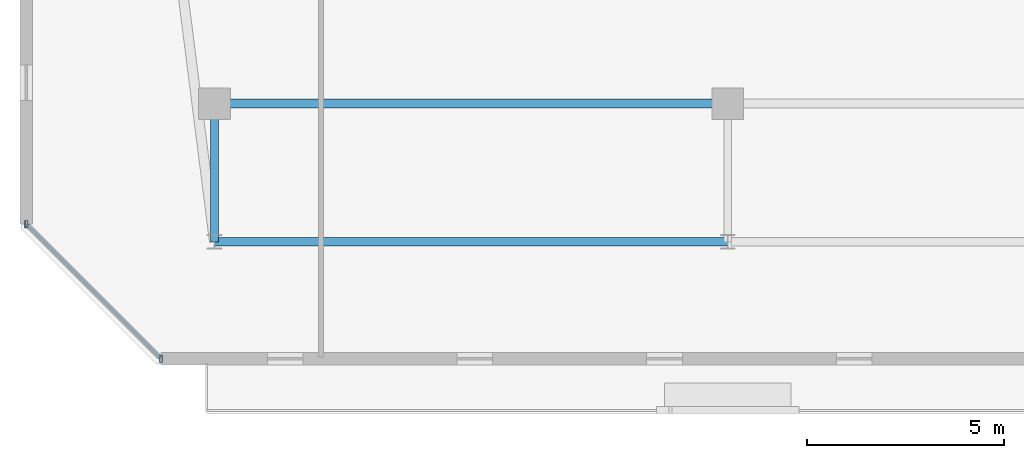
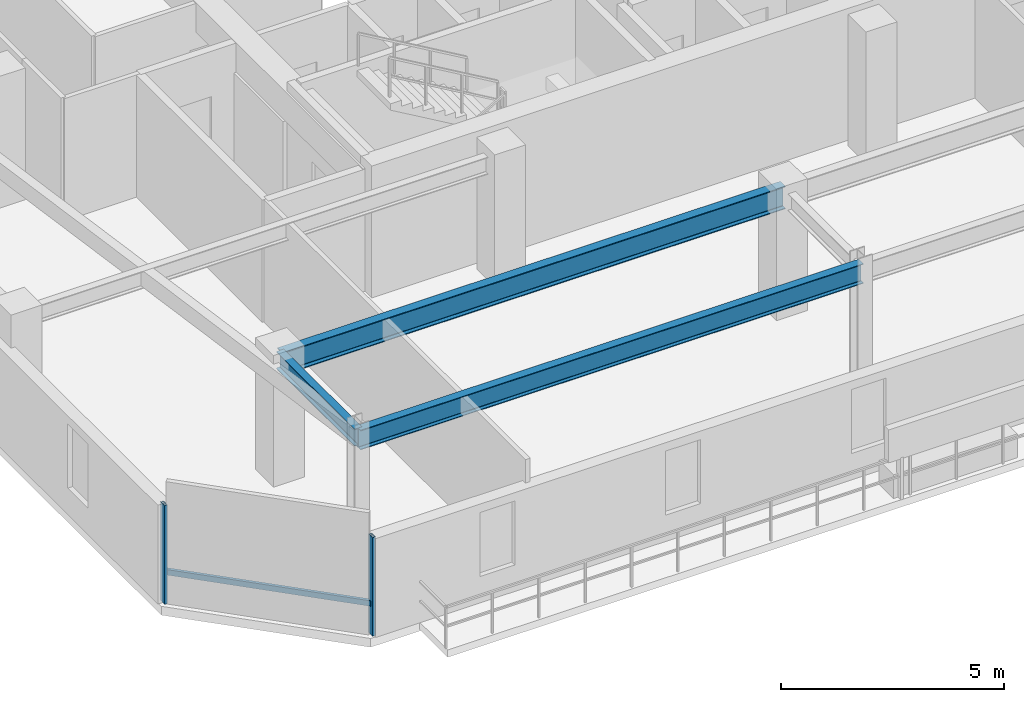
# One storey, part 5 of 35: 3 beams, 3 members, 1 element without a shape of its own.
"""IFC4 building model written with IfcOpenShell, lengths in metres."""

import ifcopenshell
import ifcopenshell.guid

model = None  # the IFC model being written
_history = None  # IfcOwnerHistory: only IFC2X3 demands one
_inside = {}  # id of a spatial element -> (the spatial element, [elements in it])
_under = {}  # id of a project, library or spatial element -> (it, [spatial elements below it])
_declared = {}  # id of a project -> (the project, [libraries it declares])
_typed = {}  # id of a type object -> (the type object, [elements of that type])
_made_of = {}  # id of a material, layer set ... -> (it, [elements and type objects made of it])


def new_model(schema):
    """Start an empty IFC model of exactly this schema.

    Asked for "IFC4X3", IfcOpenShell would pick the latest addendum, in which some entities
    have other attributes; the version numbers below select the first issue.
    IFC2X3 requires an IfcOwnerHistory on every rooted entity: one is made here for all.
    """
    global model, _history
    if schema == "IFC4X3":
        model = ifcopenshell.file(schema_version=(4, 3, 0, 0))
    else:
        model = ifcopenshell.file(schema=schema)
    _inside.clear()
    _under.clear()
    _declared.clear()
    _typed.clear()
    _made_of.clear()
    _history = None
    if model.schema == "IFC2X3":
        org = make("IfcOrganization", Name="unknown")
        user = make(
            "IfcPersonAndOrganization",
            ThePerson=make("IfcPerson", FamilyName="unknown"),
            TheOrganization=org,
        )
        app = make(
            "IfcApplication",
            ApplicationDeveloper=org,
            Version="unknown",
            ApplicationFullName="unknown",
            ApplicationIdentifier="unknown",
        )
        _history = make(
            "IfcOwnerHistory",
            OwningUser=user,
            OwningApplication=app,
            ChangeAction="ADDED",
            CreationDate=0,
        )
    return model


def make(cls, **values):
    """One entity of the class cls with the attributes given. An attribute that is None is left unset."""
    return model.create_entity(
        cls, **{name: value for name, value in values.items() if value is not None}
    )


def rooted(cls, **values):
    """An entity with a GlobalId (a new one), such as an element, a storey or a relation."""
    return make(cls, GlobalId=ifcopenshell.guid.new(), OwnerHistory=_history, **values)


def si_unit(unit_type, name, prefix=None):
    """IfcSIUnit, for example si_unit("LENGTHUNIT", "METRE", prefix="MILLI")."""
    return make("IfcSIUnit", UnitType=unit_type, Prefix=prefix, Name=name)


def assignment(units):
    """IfcUnitAssignment: the units of a project."""
    return None if units is None else make("IfcUnitAssignment", Units=units)


def point(xyz):
    """IfcCartesianPoint."""
    return None if xyz is None else make("IfcCartesianPoint", Coordinates=xyz)


def direction(xyz):
    """IfcDirection."""
    return None if xyz is None else make("IfcDirection", DirectionRatios=xyz)


def frame(location, z_axis=None, x_axis=None):
    """IfcAxis2Placement3D, a coordinate frame: its origin and axes. An axis left out is left unset."""
    return make(
        "IfcAxis2Placement3D",
        Location=point(location),
        Axis=direction(z_axis),
        RefDirection=direction(x_axis),
    )


def frame_2d(location, x_axis=None):
    """IfcAxis2Placement2D, a coordinate frame in the plane: its origin and x axis."""
    return make(
        "IfcAxis2Placement2D", Location=point(location), RefDirection=direction(x_axis)
    )


def origin():
    """The frame at (0, 0, 0) with its axes left unset."""
    return frame((0.0, 0.0, 0.0))


def origin_2d():
    """The frame at (0, 0) in the plane with its x axis left unset."""
    return frame_2d((0.0, 0.0))


def place(relative_to, where):
    """IfcLocalPlacement: puts the frame where relative to a parent placement (None: the world)."""
    return make(
        "IfcLocalPlacement", PlacementRelTo=relative_to, RelativePlacement=where
    )


def context(
    kind, dimensions, precision=None, world=None, true_north=None, identifier=None
):
    """IfcGeometricRepresentationContext, for example the 3D "Model" context."""
    return make(
        "IfcGeometricRepresentationContext",
        ContextIdentifier=identifier,
        ContextType=kind,
        CoordinateSpaceDimension=dimensions,
        Precision=precision,
        WorldCoordinateSystem=world,
        TrueNorth=true_north,
    )


def subcontext(parent, identifier, kind, view, scale=None):
    """IfcGeometricRepresentationSubContext, for example "Body" below "Model"."""
    return make(
        "IfcGeometricRepresentationSubContext",
        ContextIdentifier=identifier,
        ContextType=kind,
        ParentContext=parent,
        TargetScale=scale,
        TargetView=view,
    )


def project(units=None, contexts=None):
    """IfcProject with its units and contexts."""
    return rooted(
        "IfcProject",
        Name="project",
        RepresentationContexts=contexts,
        UnitsInContext=assignment(units),
    )


def spatial(cls, under=None, at=None, **own):
    """A site, building, storey or space (cls), placed at a placement, below another one or the project."""
    s = rooted(cls, ObjectPlacement=at, **own)
    if under is not None:
        _under.setdefault(under.id(), (under, []))[1].append(s)
    return s


def profile(cls, at=None, kind="AREA", **sizes):
    """A parametric profile (cls). Its sizes go by their IFC names, for example OverallWidth=200.0."""
    return make(cls, ProfileType=kind, Position=at, **sizes)


def hollow_rectangle(**sizes):
    """IfcRectangleHollowProfileDef."""
    return profile("IfcRectangleHollowProfileDef", **sizes)


def i_section(**sizes):
    """IfcIShapeProfileDef."""
    return profile("IfcIShapeProfileDef", **sizes)


def extrude(swept, where, along, depth):
    """IfcExtrudedAreaSolid: the profile swept, set in the frame where, extruded along a direction by depth."""
    return make(
        "IfcExtrudedAreaSolid",
        SweptArea=swept,
        Position=where,
        ExtrudedDirection=direction(along),
        Depth=depth,
    )


def shape(context_of_items, identifier, shape_type, items):
    """IfcShapeRepresentation: the items that make up one representation, for example the "Body"."""
    return make(
        "IfcShapeRepresentation",
        ContextOfItems=context_of_items,
        RepresentationIdentifier=identifier,
        RepresentationType=shape_type,
        Items=items,
    )


def material(Name=None, Category=None):
    """IfcMaterial."""
    return make("IfcMaterial", Name=Name, Category=Category)


def material_profile(
    of_material, cross_section, Name=None, Category=None, Priority=None
):
    """IfcMaterialProfile: a cross section and its material."""
    return make(
        "IfcMaterialProfile",
        Name=Name,
        Material=of_material,
        Profile=cross_section,
        Priority=Priority,
        Category=Category,
    )


def profile_set(profiles, Name=None, composite=None):
    """IfcMaterialProfileSet."""
    return make(
        "IfcMaterialProfileSet",
        Name=Name,
        MaterialProfiles=profiles,
        CompositeProfile=composite,
    )


def made_of(thing, what):
    """Note that an element or type object is made of a material, layer set ...; save() writes the relation."""
    if what is not None:
        _made_of.setdefault(what.id(), (what, []))[1].append(thing)
    return thing


def type_object(cls, material=None, **own):
    """A type object (cls), such as IfcWallType, which elements share."""
    return made_of(rooted(cls, **own), material)


def element(
    cls,
    number,
    at=None,
    inside=None,
    cuts=None,
    type_object=None,
    material=None,
    context=None,
    identifier="Body",
    shape_type=None,
    held_by="IfcProductDefinitionShape",
    body=None,
    shapes=None,
    **own,
):
    """One element of the class cls, such as IfcWall. Its Tag is "e" and its number.

    at: its placement. inside: the storey or other place that contains it. cuts: it is an
    opening in that element (IfcRelVoidsElement). A single representation is given by context,
    identifier, shape_type and body (its items); several are given by shapes. held_by: the class
    of the entity that holds the representations. save() writes the other relations.
    """
    e = rooted(cls, Tag="e%d" % number, ObjectPlacement=at, **own)
    if body is not None:
        shapes = [shape(context, identifier, shape_type, body)]
    if shapes is not None:
        e.Representation = make(held_by, Representations=shapes)
    if inside is not None:
        _inside.setdefault(inside.id(), (inside, []))[1].append(e)
    if cuts is not None:
        rooted(
            "IfcRelVoidsElement", RelatingBuildingElement=cuts, RelatedOpeningElement=e
        )
    if type_object is not None:
        _typed.setdefault(type_object.id(), (type_object, []))[1].append(e)
    return made_of(e, material)


def aggregate(whole, parts):
    """IfcRelAggregates: a whole, such as a stair, and the parts it consists of."""
    return rooted("IfcRelAggregates", RelatingObject=whole, RelatedObjects=parts)


def save(model, path):
    """Write the relations noted so far, then the file.

    IfcRelAggregates (storeys below a building ...), IfcRelContainedInSpatialStructure (elements
    in a storey), IfcRelDefinesByType, IfcRelAssociatesMaterial and IfcRelDeclares: one each for
    every whole, place, type object, material and project.
    """
    for whole, parts in _under.values():
        aggregate(whole, parts)
    for where, things in _inside.values():
        rooted(
            "IfcRelContainedInSpatialStructure",
            RelatedElements=things,
            RelatingStructure=where,
        )
    for kind, things in _typed.values():
        rooted("IfcRelDefinesByType", RelatedObjects=things, RelatingType=kind)
    for what, things in _made_of.values():
        rooted("IfcRelAssociatesMaterial", RelatedObjects=things, RelatingMaterial=what)
    for by, libraries in _declared.values():
        rooted("IfcRelDeclares", RelatingContext=by, RelatedDefinitions=libraries)
    model.write(path)


model = new_model("IFC4")

# Units and contexts
model_context = context("Model", 3, precision=1e-05, world=origin(), true_north=direction((0.0, 1.0)))
body_context = subcontext(model_context, "Body", "Model", "MODEL_VIEW")
ifc_project = project(units=[si_unit("LENGTHUNIT", "METRE"), si_unit("AREAUNIT", "SQUARE_METRE"), si_unit("VOLUMEUNIT", "CUBIC_METRE"), si_unit("PLANEANGLEUNIT", "RADIAN"), si_unit("MASSUNIT", "GRAM", prefix="KILO")], contexts=[model_context])

# Site, building, storey
site_placement = place(None, origin())
site = spatial("IfcSite", under=ifc_project, at=site_placement, CompositionType="ELEMENT")
building_placement = place(site_placement, origin())
building = spatial("IfcBuilding", under=site, at=building_placement, Name="Thornwick Lancets Civic Towers", CompositionType="ELEMENT")
storey_placement = place(building_placement, frame((0.0, 0.0, 265.5)))
storey = spatial("IfcBuildingStorey", under=building, at=storey_placement, Name="L71", CompositionType="ELEMENT", Elevation=265.5)

# Beams
ifc_material_1 = material(Name="Steel S355JR", Category="steel")
ifc_material_profile_1 = material_profile(ifc_material_1, i_section(OverallWidth=0.210693359375, OverallDepth=0.53955078125, WebThickness=0.01171875, FlangeThickness=0.018798828125, FilletRadius=0.0126953125, at=origin_2d()), Name="UKB 533x210x109")
ifc_profile_set_1 = profile_set([ifc_material_profile_1], Name="Steel S355JR")
beam_type_1 = type_object("IfcBeamType", Name="BM_EDGE_533_109", PredefinedType="SPANDREL", material=ifc_profile_set_1)
beam_1_placement = place(storey_placement, frame((12.5, 6.199951171875, 3.09033203125), z_axis=(1.0, 0.0, 0.0), x_axis=(0.0, 1.0, 0.0)))
element("IfcBeam", 1, at=beam_1_placement, inside=storey, type_object=beam_type_1, Name="BM-EDGE-L71-A-S0-1", PredefinedType="SPANDREL", context=body_context, shape_type="SweptSolid", body=[
    extrude(i_section(OverallWidth=0.210693359375, OverallDepth=0.53955078125, WebThickness=0.01171875, FlangeThickness=0.018798828125, FilletRadius=0.0126953125, at=origin_2d()), origin(), (0.0, 0.0, 1.0), 13.0),
])
ifc_material_profile_2 = material_profile(ifc_material_1, i_section(OverallWidth=0.230224609375, OverallDepth=0.6171875, WebThickness=0.01318359375, FlangeThickness=0.022216796875, FilletRadius=0.0126953125, at=origin_2d()), Name="UKB 610x229x140")
ifc_profile_set_2 = profile_set([ifc_material_profile_2], Name="Steel S355JR")
beam_type_2 = type_object("IfcBeamType", Name="BM_GIRD_610_140", PredefinedType="BEAM", material=ifc_profile_set_2)
beam_2_placement = place(storey_placement, frame((12.5, 9.699951171875, 3.051513671875), z_axis=(1.0, 0.0, 0.0), x_axis=(0.0, 1.0, 0.0)))
element("IfcBeam", 2, at=beam_2_placement, inside=storey, type_object=beam_type_2, Name="BM-SPINE-L71-A-0-1", PredefinedType="BEAM", context=body_context, shape_type="SweptSolid", body=[
    extrude(i_section(OverallWidth=0.230224609375, OverallDepth=0.6171875, WebThickness=0.01318359375, FlangeThickness=0.022216796875, FilletRadius=0.0126953125, at=origin_2d()), origin(), (0.0, 0.0, 1.0), 13.0),
])
ifc_material_profile_3 = material_profile(ifc_material_1, i_section(OverallWidth=0.19287109375, OverallDepth=0.46728515625, WebThickness=0.011474609375, FlangeThickness=0.01953125, FilletRadius=0.01025390625, at=origin_2d()), Name="UKB 457x191x98")
ifc_profile_set_3 = profile_set([ifc_material_profile_3], Name="Steel S355JR")
beam_type_3 = type_object("IfcBeamType", Name="BM_JOIST_457_98", PredefinedType="JOIST", material=ifc_profile_set_3)
beam_3_placement = place(storey_placement, frame((12.5, 9.699951171875, 3.12646484375), z_axis=(0.0, -1.0, 0.0), x_axis=(1.0, 0.0, 0.0)))
element("IfcBeam", 3, at=beam_3_placement, inside=storey, type_object=beam_type_3, Name="BM-RAD-L71-A01", PredefinedType="JOIST", context=body_context, shape_type="SweptSolid", body=[
    extrude(i_section(OverallWidth=0.19287109375, OverallDepth=0.46728515625, WebThickness=0.011474609375, FlangeThickness=0.01953125, FilletRadius=0.01025390625, at=origin_2d()), origin(), (0.0, 0.0, 1.0), 3.5),
])

# Curtain wall, members
ifc_material_2 = material(Name="High-zone chamfered-corner unitised glass curtain wall", Category="glass")
curtain_wall_type = type_object("IfcCurtainWallType", Name="CW_SYS_05", PredefinedType="NOTDEFINED", material=ifc_material_2)
curtain_wall_placement = place(storey_placement, origin())
curtain_wall = element("IfcCurtainWall", 4, at=curtain_wall_placement, inside=storey, type_object=curtain_wall_type, Name="L71 Curtain Wall CW-L71-A-E7", PredefinedType="NOTDEFINED")
ifc_material_3 = material(Name="Thermally broken bronze aluminium S355", Category="steel")
ifc_material_profile_4 = material_profile(ifc_material_3, hollow_rectangle(XDim=0.074951171875, YDim=0.179931640625, WallThickness=0.006103515625, at=origin_2d()), Name="RHS 180x75x6")
ifc_profile_set_4 = profile_set([ifc_material_profile_4], Name="Thermally broken bronze aluminium S355")
member_type_1 = type_object("IfcMemberType", Name="CW_MUL_180", PredefinedType="MULLION", material=ifc_profile_set_4)
member_1_placement = place(storey_placement, frame((7.738037109375, 6.646484375, 0.0), z_axis=(0.0, 0.0, 1.0), x_axis=(1.0, 0.0, 0.0)))
member_1 = element("IfcMember", 5, at=member_1_placement, type_object=member_type_1, Name="CW-L71-A-E7 Mullion 0", PredefinedType="MULLION", context=body_context, shape_type="SweptSolid", body=[
    extrude(hollow_rectangle(XDim=0.074951171875, YDim=0.179931640625, WallThickness=0.006103515625, at=origin_2d()), origin(), (0.0, 0.0, 1.0), 2.699951171875),
])
member_2_placement = place(storey_placement, frame((11.146484375, 3.238037109375, 0.0), z_axis=(0.0, 0.0, 1.0), x_axis=(1.0, 0.0, 0.0)))
member_2 = element("IfcMember", 6, at=member_2_placement, type_object=member_type_1, Name="CW-L71-A-E7 Mullion 1", PredefinedType="MULLION", context=body_context, shape_type="SweptSolid", body=[
    extrude(hollow_rectangle(XDim=0.074951171875, YDim=0.179931640625, WallThickness=0.006103515625, at=origin_2d()), origin(), (0.0, 0.0, 1.0), 2.699951171875),
])
ifc_material_profile_5 = material_profile(ifc_material_3, hollow_rectangle(XDim=0.074951171875, YDim=0.14990234375, WallThickness=0.0048828125, at=origin_2d()), Name="RHS 150x75x5")
ifc_profile_set_5 = profile_set([ifc_material_profile_5], Name="Thermally broken bronze aluminium S355")
member_type_2 = type_object("IfcMemberType", Name="CW_TRN_150", PredefinedType="USERDEFINED", material=ifc_profile_set_5)
member_3_placement = place(storey_placement, frame((7.752197265625, 6.63232421875, 0.85009765625), z_axis=(0.707106781187, -0.707106781187, 0.0), x_axis=(0.707106781187, 0.707106781187, 0.0)))
member_3 = element("IfcMember", 7, at=member_3_placement, type_object=member_type_2, Name="CW-L71-A-E7 Transom 0", ObjectType="TRANSOM", PredefinedType="USERDEFINED", context=body_context, shape_type="SweptSolid", body=[
    extrude(hollow_rectangle(XDim=0.074951171875, YDim=0.14990234375, WallThickness=0.0048828125, at=origin_2d()), origin(), (0.0, 0.0, 1.0), 4.7802734375),
])
aggregate(curtain_wall, [member_1, member_2, member_3])

save(model, "model.ifc")
